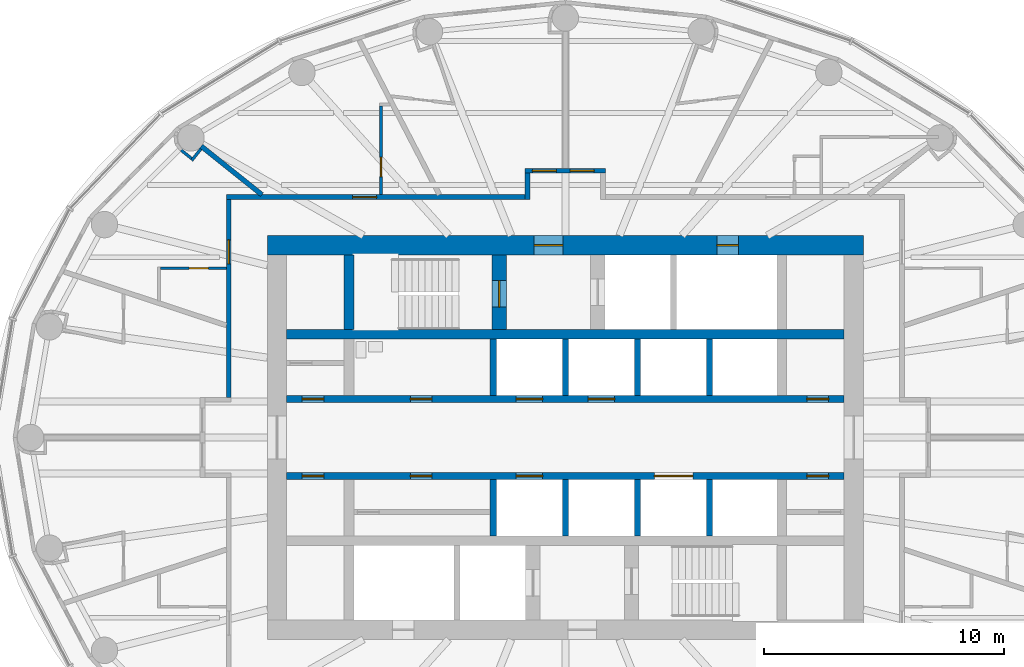
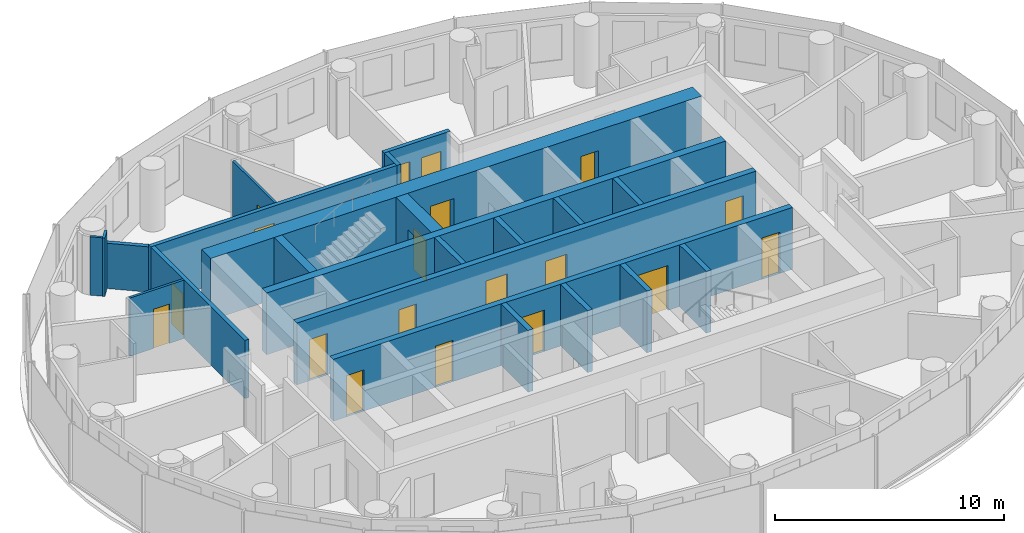
# One storey, part 9 of 16: 23 walls, 19 doors, 19 openings.
"""IFC4 building model written with IfcOpenShell, lengths in metres."""

from ifc_helpers import new_model, si_unit, direction, frame, frame_2d, origin, place, context, subcontext, project, spatial, rectangle, extrude, material, layer, layer_set, type_object, element, fill, save


model = new_model("IFC4")

# Units and contexts
model_context = context("Model", 3, precision=1e-05, world=origin(), true_north=direction((0.0, 1.0)))
body_context = subcontext(model_context, "Body", "Model", "MODEL_VIEW")
ifc_project = project(units=[si_unit("LENGTHUNIT", "METRE"), si_unit("AREAUNIT", "SQUARE_METRE"), si_unit("VOLUMEUNIT", "CUBIC_METRE"), si_unit("PLANEANGLEUNIT", "RADIAN"), si_unit("MASSUNIT", "GRAM", prefix="KILO")], contexts=[model_context])

# Site, building, storey
site_placement = place(None, origin())
site = spatial("IfcSite", under=ifc_project, at=site_placement, CompositionType="ELEMENT")
building_placement = place(site_placement, origin())
building = spatial("IfcBuilding", under=site, at=building_placement, Name="Hankou Lantern Tower", CompositionType="ELEMENT")
storey_placement = place(building_placement, frame((0.0, 0.0, 150.0)))
storey = spatial("IfcBuildingStorey", under=building, at=storey_placement, Name="L39", CompositionType="ELEMENT", Elevation=150.0)

# Wall, openings, doors
ifc_material_1 = material(Name="Concrete C60", Category="concrete")
ifc_layer_1 = layer(ifc_material_1, 0.800048828125)
ifc_layer_set_1 = layer_set([ifc_layer_1], Name="Concrete C60")
wall_type_1 = type_object("IfcWallType", Name="CW2 CORE WALL 800", PredefinedType="SHEAR", material=ifc_layer_set_1)
wall_1_placement = place(storey_placement, frame((-12.39990234375, 8.0, 0.0), z_axis=(0.0, 0.0, 1.0), x_axis=(1.0, 0.0, 0.0)))
wall_1 = element("IfcWall", 1, at=wall_1_placement, inside=storey, type_object=wall_type_1, Name="Core wall north L39", PredefinedType="SHEAR", context=body_context, shape_type="SweptSolid", body=[
    extrude(rectangle(XDim=24.7998046875, YDim=0.800048828125, at=frame_2d((12.39990234375, 0.0))), origin(), (0.0, 0.0, 1.0), 3.300048828125),
])
opening_1_placement = place(wall_1_placement, frame((11.10009765625, 0.0, 0.0)))
opening_1 = element("IfcOpeningElement", 2, at=opening_1_placement, cuts=wall_1, Name="Opening D5", PredefinedType="OPENING", context=body_context, shape_type="SweptSolid", body=[
    extrude(rectangle(XDim=1.199951171875, YDim=2.199951171875, at=frame_2d((0.60009765625, 1.10009765625))), frame((0.0, 0.409912109375, 0.0), z_axis=(0.0, -1.0, 0.0), x_axis=(1.0, 0.0, 0.0)), (0.0, 0.0, 1.0), 0.820068359375),
])
opening_2_placement = place(wall_1_placement, frame((18.699951171875, 0.0, 0.0)))
opening_2 = element("IfcOpeningElement", 3, at=opening_2_placement, cuts=wall_1, Name="Opening D7", PredefinedType="OPENING", context=body_context, shape_type="SweptSolid", body=[
    extrude(rectangle(XDim=0.89990234375, YDim=2.199951171875, at=frame_2d((0.449951171875, 1.10009765625))), frame((0.0, 0.409912109375, 0.0), z_axis=(0.0, -1.0, 0.0), x_axis=(1.0, 0.0, 0.0)), (0.0, 0.0, 1.0), 0.820068359375),
])
ifc_material_2 = material(Name="Steel door leaf", Category="steel")
door_type_1 = type_object("IfcDoorType", Name="D5 STAIR LOBBY DOOR 1200X2200", OperationType="SINGLE_SWING_LEFT", PredefinedType="DOOR", material=ifc_material_2)
door_1_placement = place(opening_1_placement, origin())
door_1 = element("IfcDoor", 4, at=door_1_placement, inside=storey, type_object=door_type_1, Name="Stair A lobby door", OperationType="SINGLE_SWING_LEFT", OverallHeight=2.199951171875, OverallWidth=1.199951171875, PredefinedType="DOOR", context=body_context, shape_type="SweptSolid", body=[
    extrude(rectangle(XDim=1.199951171875, YDim=2.199951171875, at=frame_2d((0.60009765625, 1.10009765625))), frame((0.0, 0.02490234375, 0.0), z_axis=(0.0, -1.0, 0.0), x_axis=(1.0, 0.0, 0.0)), (0.0, 0.0, 1.0), 0.050048828125),
])
fill(opening_1, door_1)
ifc_material_3 = material(Name="Steel door leaf", Category="steel")
door_type_2 = type_object("IfcDoorType", Name="D7 RISER DOOR 900X2200", OperationType="SINGLE_SWING_LEFT", PredefinedType="DOOR", material=ifc_material_3)
door_2_placement = place(opening_2_placement, origin())
door_2 = element("IfcDoor", 5, at=door_2_placement, inside=storey, type_object=door_type_2, Name="Riser N1 door", OperationType="SINGLE_SWING_RIGHT", OverallHeight=2.199951171875, OverallWidth=0.89990234375, PredefinedType="DOOR", context=body_context, shape_type="SweptSolid", body=[
    extrude(rectangle(XDim=0.89990234375, YDim=2.199951171875, at=frame_2d((0.449951171875, 1.10009765625))), frame((0.0, 0.02490234375, 0.0), z_axis=(0.0, -1.0, 0.0), x_axis=(1.0, 0.0, 0.0)), (0.0, 0.0, 1.0), 0.050048828125),
])
fill(opening_2, door_2)

# Walls
ifc_material_4 = material(Name="Concrete C60", Category="concrete")
ifc_layer_2 = layer(ifc_material_4, 0.39990234375)
ifc_layer_set_2 = layer_set([ifc_layer_2], Name="Concrete C60")
wall_type_2 = type_object("IfcWallType", Name="CW4 CORE CROSS WALL 400", PredefinedType="SHEAR", material=ifc_layer_set_2)
wall_2_placement = place(storey_placement, frame((-11.60009765625, 4.300048828125, 0.0), z_axis=(0.0, 0.0, 1.0), x_axis=(1.0, 0.0, 0.0)))
element("IfcWall", 6, at=wall_2_placement, inside=storey, type_object=wall_type_2, Name="Core band wall north L39", PredefinedType="SHEAR", context=body_context, shape_type="SweptSolid", body=[
    extrude(rectangle(XDim=23.2001953125, YDim=0.39990234375, at=frame_2d((11.60009765625, 0.0))), origin(), (0.0, 0.0, 1.0), 3.300048828125),
])
wall_3_placement = place(storey_placement, frame((-9.0, 4.5, 0.0), z_axis=(0.0, 0.0, 1.0), x_axis=(0.0, 1.0, 0.0)))
element("IfcWall", 7, at=wall_3_placement, inside=storey, type_object=wall_type_2, Name="Core strip wall L39", PredefinedType="SHEAR", context=body_context, shape_type="SweptSolid", body=[
    extrude(rectangle(XDim=3.10009765625, YDim=0.39990234375, at=frame_2d((1.550048828125, 0.0))), origin(), (0.0, 0.0, 1.0), 3.300048828125),
])

# Wall, openings, doors
ifc_material_5 = material(Name="Concrete C60", Category="concrete")
ifc_layer_3 = layer(ifc_material_5, 0.300048828125)
ifc_layer_set_3 = layer_set([ifc_layer_3], Name="Concrete C60")
wall_type_3 = type_object("IfcWallType", Name="CW5 LIFT LOBBY WALL 300", PredefinedType="SHEAR", material=ifc_layer_set_3)
wall_4_placement = place(storey_placement, frame((-11.60009765625, 1.60009765625, 0.0), z_axis=(0.0, 0.0, 1.0), x_axis=(1.0, 0.0, 0.0)))
wall_4 = element("IfcWall", 8, at=wall_4_placement, inside=storey, type_object=wall_type_3, Name="Lift lobby wall north L39", PredefinedType="SHEAR", context=body_context, shape_type="SweptSolid", body=[
    extrude(rectangle(XDim=23.2001953125, YDim=0.300048828125, at=frame_2d((11.60009765625, 0.0))), origin(), (0.0, 0.0, 1.0), 3.300048828125),
])
opening_3_placement = place(wall_4_placement, frame((9.550048828125, 0.0, 0.0)))
opening_3 = element("IfcOpeningElement", 9, at=opening_3_placement, cuts=wall_4, Name="Opening LD1", PredefinedType="OPENING", context=body_context, shape_type="SweptSolid", body=[
    extrude(rectangle(XDim=1.10009765625, YDim=2.199951171875, at=frame_2d((0.550048828125, 1.10009765625))), frame((0.0, 0.159912109375, 0.0), z_axis=(0.0, -1.0, 0.0), x_axis=(1.0, 0.0, 0.0)), (0.0, 0.0, 1.0), 0.320068359375),
])
opening_4_placement = place(wall_4_placement, frame((12.550048828125, 0.0, 0.0)))
opening_4 = element("IfcOpeningElement", 10, at=opening_4_placement, cuts=wall_4, Name="Opening LD1", PredefinedType="OPENING", context=body_context, shape_type="SweptSolid", body=[
    extrude(rectangle(XDim=1.10009765625, YDim=2.199951171875, at=frame_2d((0.550048828125, 1.10009765625))), frame((0.0, 0.159912109375, 0.0), z_axis=(0.0, -1.0, 0.0), x_axis=(1.0, 0.0, 0.0)), (0.0, 0.0, 1.0), 0.320068359375),
])
opening_5_placement = place(wall_4_placement, frame((5.14990234375, 0.0, 0.0)))
opening_5 = element("IfcOpeningElement", 11, at=opening_5_placement, cuts=wall_4, Name="Opening D30", PredefinedType="OPENING", context=body_context, shape_type="SweptSolid", body=[
    extrude(rectangle(XDim=0.89990234375, YDim=2.199951171875, at=frame_2d((0.449951171875, 1.10009765625))), frame((0.0, 0.159912109375, 0.0), z_axis=(0.0, -1.0, 0.0), x_axis=(1.0, 0.0, 0.0)), (0.0, 0.0, 1.0), 0.320068359375),
])
opening_6_placement = place(wall_4_placement, frame((21.64990234375, 0.0, 0.0)))
opening_6 = element("IfcOpeningElement", 12, at=opening_6_placement, cuts=wall_4, Name="Opening D30", PredefinedType="OPENING", context=body_context, shape_type="SweptSolid", body=[
    extrude(rectangle(XDim=0.89990234375, YDim=2.199951171875, at=frame_2d((0.449951171875, 1.10009765625))), frame((0.0, 0.159912109375, 0.0), z_axis=(0.0, -1.0, 0.0), x_axis=(1.0, 0.0, 0.0)), (0.0, 0.0, 1.0), 0.320068359375),
])
opening_7_placement = place(wall_4_placement, frame((0.64990234375, 0.0, 0.0)))
opening_7 = element("IfcOpeningElement", 13, at=opening_7_placement, cuts=wall_4, Name="Opening D30", PredefinedType="OPENING", context=body_context, shape_type="SweptSolid", body=[
    extrude(rectangle(XDim=0.89990234375, YDim=2.199951171875, at=frame_2d((0.449951171875, 1.10009765625))), frame((0.0, 0.159912109375, 0.0), z_axis=(0.0, -1.0, 0.0), x_axis=(1.0, 0.0, 0.0)), (0.0, 0.0, 1.0), 0.320068359375),
])
ifc_material_6 = material(Name="Steel door leaf", Category="steel")
door_type_3 = type_object("IfcDoorType", Name="D30 CORE ROOM DOOR 900X2200", OperationType="SINGLE_SWING_LEFT", PredefinedType="DOOR", material=ifc_material_6)
door_3_placement = place(opening_5_placement, origin())
door_3 = element("IfcDoor", 14, at=door_3_placement, inside=storey, type_object=door_type_3, Name="Accessible staff WC door", OperationType="SINGLE_SWING_LEFT", OverallHeight=2.199951171875, OverallWidth=0.89990234375, PredefinedType="DOOR", context=body_context, shape_type="SweptSolid", body=[
    extrude(rectangle(XDim=0.89990234375, YDim=2.199951171875, at=frame_2d((0.449951171875, 1.10009765625))), frame((0.0, 0.02490234375, 0.0), z_axis=(0.0, -1.0, 0.0), x_axis=(1.0, 0.0, 0.0)), (0.0, 0.0, 1.0), 0.050048828125),
])
fill(opening_5, door_3)
door_4_placement = place(opening_6_placement, origin())
door_4 = element("IfcDoor", 15, at=door_4_placement, inside=storey, type_object=door_type_3, Name="Staff locker room door", OperationType="SINGLE_SWING_RIGHT", OverallHeight=2.199951171875, OverallWidth=0.89990234375, PredefinedType="DOOR", context=body_context, shape_type="SweptSolid", body=[
    extrude(rectangle(XDim=0.89990234375, YDim=2.199951171875, at=frame_2d((0.449951171875, 1.10009765625))), frame((0.0, 0.02490234375, 0.0), z_axis=(0.0, -1.0, 0.0), x_axis=(1.0, 0.0, 0.0)), (0.0, 0.0, 1.0), 0.050048828125),
])
fill(opening_6, door_4)
door_5_placement = place(opening_7_placement, origin())
door_5 = element("IfcDoor", 16, at=door_5_placement, inside=storey, type_object=door_type_3, Name="Guest pantry and ice room door", OperationType="SINGLE_SWING_LEFT", OverallHeight=2.199951171875, OverallWidth=0.89990234375, PredefinedType="DOOR", context=body_context, shape_type="SweptSolid", body=[
    extrude(rectangle(XDim=0.89990234375, YDim=2.199951171875, at=frame_2d((0.449951171875, 1.10009765625))), frame((0.0, 0.02490234375, 0.0), z_axis=(0.0, -1.0, 0.0), x_axis=(1.0, 0.0, 0.0)), (0.0, 0.0, 1.0), 0.050048828125),
])
fill(opening_7, door_5)
ifc_material_7 = material(Name="Steel door leaf", Category="steel")
door_type_4 = type_object("IfcDoorType", Name="LD1 LIFT LANDING DOOR 1100X2200", OperationType="DOUBLE_DOOR_SLIDING", PredefinedType="DOOR", material=ifc_material_7)
door_6_placement = place(opening_3_placement, origin())
door_6 = element("IfcDoor", 17, at=door_6_placement, inside=storey, type_object=door_type_4, Name="Lift H1 landing door", OperationType="DOUBLE_DOOR_SLIDING", OverallHeight=2.199951171875, OverallWidth=1.10009765625, PredefinedType="DOOR", context=body_context, shape_type="SweptSolid", body=[
    extrude(rectangle(XDim=1.10009765625, YDim=2.199951171875, at=frame_2d((0.550048828125, 1.10009765625))), frame((0.0, 0.02490234375, 0.0), z_axis=(0.0, -1.0, 0.0), x_axis=(1.0, 0.0, 0.0)), (0.0, 0.0, 1.0), 0.050048828125),
])
fill(opening_3, door_6)
door_7_placement = place(opening_4_placement, origin())
door_7 = element("IfcDoor", 18, at=door_7_placement, inside=storey, type_object=door_type_4, Name="Lift H2 landing door", OperationType="DOUBLE_DOOR_SLIDING", OverallHeight=2.199951171875, OverallWidth=1.10009765625, PredefinedType="DOOR", context=body_context, shape_type="SweptSolid", body=[
    extrude(rectangle(XDim=1.10009765625, YDim=2.199951171875, at=frame_2d((0.550048828125, 1.10009765625))), frame((0.0, 0.02490234375, 0.0), z_axis=(0.0, -1.0, 0.0), x_axis=(1.0, 0.0, 0.0)), (0.0, 0.0, 1.0), 0.050048828125),
])
fill(opening_4, door_7)

wall_5_placement = place(storey_placement, frame((-11.60009765625, -1.60009765625, 0.0), z_axis=(0.0, 0.0, 1.0), x_axis=(1.0, 0.0, 0.0)))
wall_5 = element("IfcWall", 19, at=wall_5_placement, inside=storey, type_object=wall_type_3, Name="Lift lobby wall south L39", PredefinedType="SHEAR", context=body_context, shape_type="SweptSolid", body=[
    extrude(rectangle(XDim=23.2001953125, YDim=0.300048828125, at=frame_2d((11.60009765625, 0.0))), origin(), (0.0, 0.0, 1.0), 3.300048828125),
])
opening_8_placement = place(wall_5_placement, frame((9.550048828125, 0.0, 0.0)))
opening_8 = element("IfcOpeningElement", 20, at=opening_8_placement, cuts=wall_5, Name="Opening LD1", PredefinedType="OPENING", context=body_context, shape_type="SweptSolid", body=[
    extrude(rectangle(XDim=1.10009765625, YDim=2.199951171875, at=frame_2d((0.550048828125, 1.10009765625))), frame((0.0, 0.159912109375, 0.0), z_axis=(0.0, -1.0, 0.0), x_axis=(1.0, 0.0, 0.0)), (0.0, 0.0, 1.0), 0.320068359375),
])
opening_9_placement = place(wall_5_placement, frame((15.300048828125, 0.0, 0.0)))
opening_9 = element("IfcOpeningElement", 21, at=opening_9_placement, cuts=wall_5, Name="Opening LD4", PredefinedType="OPENING", context=body_context, shape_type="SweptSolid", body=[
    extrude(rectangle(XDim=1.60009765625, YDim=2.39990234375, at=frame_2d((0.800048828125, 1.199951171875))), frame((0.0, 0.159912109375, 0.0), z_axis=(0.0, -1.0, 0.0), x_axis=(1.0, 0.0, 0.0)), (0.0, 0.0, 1.0), 0.320068359375),
])
opening_10_placement = place(wall_5_placement, frame((0.64990234375, 0.0, 0.0)))
opening_10 = element("IfcOpeningElement", 22, at=opening_10_placement, cuts=wall_5, Name="Opening D30", PredefinedType="OPENING", context=body_context, shape_type="SweptSolid", body=[
    extrude(rectangle(XDim=0.89990234375, YDim=2.199951171875, at=frame_2d((0.449951171875, 1.10009765625))), frame((0.0, 0.159912109375, 0.0), z_axis=(0.0, -1.0, 0.0), x_axis=(1.0, 0.0, 0.0)), (0.0, 0.0, 1.0), 0.320068359375),
])
opening_11_placement = place(wall_5_placement, frame((5.14990234375, 0.0, 0.0)))
opening_11 = element("IfcOpeningElement", 23, at=opening_11_placement, cuts=wall_5, Name="Opening D30", PredefinedType="OPENING", context=body_context, shape_type="SweptSolid", body=[
    extrude(rectangle(XDim=0.89990234375, YDim=2.199951171875, at=frame_2d((0.449951171875, 1.10009765625))), frame((0.0, 0.159912109375, 0.0), z_axis=(0.0, -1.0, 0.0), x_axis=(1.0, 0.0, 0.0)), (0.0, 0.0, 1.0), 0.320068359375),
])
opening_12_placement = place(wall_5_placement, frame((21.64990234375, 0.0, 0.0)))
opening_12 = element("IfcOpeningElement", 24, at=opening_12_placement, cuts=wall_5, Name="Opening D30", PredefinedType="OPENING", context=body_context, shape_type="SweptSolid", body=[
    extrude(rectangle(XDim=0.89990234375, YDim=2.199951171875, at=frame_2d((0.449951171875, 1.10009765625))), frame((0.0, 0.159912109375, 0.0), z_axis=(0.0, -1.0, 0.0), x_axis=(1.0, 0.0, 0.0)), (0.0, 0.0, 1.0), 0.320068359375),
])
door_8_placement = place(opening_10_placement, origin())
door_8 = element("IfcDoor", 25, at=door_8_placement, inside=storey, type_object=door_type_3, Name="Housekeeping and linen store door", OperationType="SINGLE_SWING_LEFT", OverallHeight=2.199951171875, OverallWidth=0.89990234375, PredefinedType="DOOR", context=body_context, shape_type="SweptSolid", body=[
    extrude(rectangle(XDim=0.89990234375, YDim=2.199951171875, at=frame_2d((0.449951171875, 1.10009765625))), frame((0.0, 0.02490234375, 0.0), z_axis=(0.0, -1.0, 0.0), x_axis=(1.0, 0.0, 0.0)), (0.0, 0.0, 1.0), 0.050048828125),
])
fill(opening_10, door_8)
door_9_placement = place(opening_11_placement, origin())
door_9 = element("IfcDoor", 26, at=door_9_placement, inside=storey, type_object=door_type_3, Name="Engineering store door", OperationType="SINGLE_SWING_LEFT", OverallHeight=2.199951171875, OverallWidth=0.89990234375, PredefinedType="DOOR", context=body_context, shape_type="SweptSolid", body=[
    extrude(rectangle(XDim=0.89990234375, YDim=2.199951171875, at=frame_2d((0.449951171875, 1.10009765625))), frame((0.0, 0.02490234375, 0.0), z_axis=(0.0, -1.0, 0.0), x_axis=(1.0, 0.0, 0.0)), (0.0, 0.0, 1.0), 0.050048828125),
])
fill(opening_11, door_9)
door_10_placement = place(opening_12_placement, origin())
door_10 = element("IfcDoor", 27, at=door_10_placement, inside=storey, type_object=door_type_3, Name="Cleaner's store door", OperationType="SINGLE_SWING_RIGHT", OverallHeight=2.199951171875, OverallWidth=0.89990234375, PredefinedType="DOOR", context=body_context, shape_type="SweptSolid", body=[
    extrude(rectangle(XDim=0.89990234375, YDim=2.199951171875, at=frame_2d((0.449951171875, 1.10009765625))), frame((0.0, 0.02490234375, 0.0), z_axis=(0.0, -1.0, 0.0), x_axis=(1.0, 0.0, 0.0)), (0.0, 0.0, 1.0), 0.050048828125),
])
fill(opening_12, door_10)
door_11_placement = place(opening_8_placement, origin())
door_11 = element("IfcDoor", 28, at=door_11_placement, inside=storey, type_object=door_type_4, Name="Lift H3 landing door", OperationType="DOUBLE_DOOR_SLIDING", OverallHeight=2.199951171875, OverallWidth=1.10009765625, PredefinedType="DOOR", context=body_context, shape_type="SweptSolid", body=[
    extrude(rectangle(XDim=1.10009765625, YDim=2.199951171875, at=frame_2d((0.550048828125, 1.10009765625))), frame((0.0, 0.02490234375, 0.0), z_axis=(0.0, -1.0, 0.0), x_axis=(1.0, 0.0, 0.0)), (0.0, 0.0, 1.0), 0.050048828125),
])
fill(opening_8, door_11)
ifc_material_8 = material(Name="Steel door leaf", Category="steel")
door_type_5 = type_object("IfcDoorType", Name="LD4 SERVICE LIFT LANDING DOOR 1600X2400", OperationType="DOUBLE_DOOR_SLIDING", PredefinedType="DOOR", material=ifc_material_8)
door_12_placement = place(opening_9_placement, origin())
door_12 = element("IfcDoor", 29, at=door_12_placement, inside=storey, type_object=door_type_5, Name="Lift SV1 landing door", OperationType="DOUBLE_DOOR_SLIDING", OverallHeight=2.39990234375, OverallWidth=1.60009765625, PredefinedType="DOOR", context=body_context, shape_type="SweptSolid", body=[
    extrude(rectangle(XDim=1.60009765625, YDim=2.39990234375, at=frame_2d((0.800048828125, 1.199951171875))), frame((0.0, 0.02490234375, 0.0), z_axis=(0.0, -1.0, 0.0), x_axis=(1.0, 0.0, 0.0)), (0.0, 0.0, 1.0), 0.050048828125),
])
fill(opening_9, door_12)

# Wall, opening, door
ifc_material_9 = material(Name="Concrete C60", Category="concrete")
ifc_layer_4 = layer(ifc_material_9, 0.60009765625)
ifc_layer_set_4 = layer_set([ifc_layer_4], Name="Concrete C60")
wall_type_4 = type_object("IfcWallType", Name="CW6 STAIR AND SHAFT WALL 600", PredefinedType="SHEAR", material=ifc_layer_set_4)
wall_6_placement = place(storey_placement, frame((-2.75, 4.5, 0.0), z_axis=(0.0, 0.0, 1.0), x_axis=(0.0, 1.0, 0.0)))
wall_6 = element("IfcWall", 30, at=wall_6_placement, inside=storey, type_object=wall_type_4, Name="Stair wall L39", PredefinedType="SHEAR", context=body_context, shape_type="SweptSolid", body=[
    extrude(rectangle(XDim=3.10009765625, YDim=0.60009765625, at=frame_2d((1.550048828125, 0.0))), origin(), (0.0, 0.0, 1.0), 3.300048828125),
])
opening_13_placement = place(wall_6_placement, frame((0.925048828125, 0.0, 0.0)))
opening_13 = element("IfcOpeningElement", 31, at=opening_13_placement, cuts=wall_6, Name="Opening D4", PredefinedType="OPENING", context=body_context, shape_type="SweptSolid", body=[
    extrude(rectangle(XDim=1.10009765625, YDim=2.199951171875, at=frame_2d((0.550048828125, 1.10009765625))), frame((0.0, 0.31005859375, 0.0), z_axis=(0.0, -1.0, 0.0), x_axis=(1.0, 0.0, 0.0)), (0.0, 0.0, 1.0), 0.6201171875),
])
ifc_material_10 = material(Name="Steel door leaf", Category="steel")
door_type_6 = type_object("IfcDoorType", Name="D4 STAIR DOOR 1100X2200", OperationType="SINGLE_SWING_LEFT", PredefinedType="DOOR", material=ifc_material_10)
door_13_placement = place(opening_13_placement, origin())
door_13 = element("IfcDoor", 32, at=door_13_placement, inside=storey, type_object=door_type_6, Name="Stair A door", OperationType="SINGLE_SWING_LEFT", OverallHeight=2.199951171875, OverallWidth=1.10009765625, PredefinedType="DOOR", context=body_context, shape_type="SweptSolid", body=[
    extrude(rectangle(XDim=1.10009765625, YDim=2.199951171875, at=frame_2d((0.550048828125, 1.10009765625))), frame((0.0, 0.02490234375, 0.0), z_axis=(0.0, -1.0, 0.0), x_axis=(1.0, 0.0, 0.0)), (0.0, 0.0, 1.0), 0.050048828125),
])
fill(opening_13, door_13)

# Wall
ifc_material_11 = material(Name="Masonry lightweight concrete block", Category="masonry")
ifc_layer_5 = layer(ifc_material_11, 0.199951171875)
ifc_layer_set_5 = layer_set([ifc_layer_5], Name="Masonry lightweight concrete block")
wall_type_5 = type_object("IfcWallType", Name="IW1 GUEST ROOM PARTY WALL 200", PredefinedType="PARTITIONING", material=ifc_layer_set_5)
wall_7_placement = place(storey_placement, frame((-12.625, 10.10009765625, 0.0), z_axis=(0.0, 0.0, 1.0), x_axis=(-0.780876185034, 0.624685827954, 0.0)))
element("IfcWall", 33, at=wall_7_placement, inside=storey, type_object=wall_type_5, Name="Party wall R10", PredefinedType="PARTITIONING", context=body_context, shape_type="SweptSolid", body=[
    extrude(rectangle(XDim=3.229248046875, YDim=0.199951171875, at=frame_2d((1.61474609375, 0.0))), origin(), (0.0, 0.0, 1.0), 2.419921875),
])

# Wall, openings, doors
ifc_material_12 = material(Name="Masonry lightweight concrete block", Category="masonry")
ifc_layer_6 = layer(ifc_material_12, 0.199951171875)
ifc_layer_set_6 = layer_set([ifc_layer_6], Name="Masonry lightweight concrete block")
wall_type_6 = type_object("IfcWallType", Name="IW2 CORRIDOR WALL 200", PredefinedType="PARTITIONING", material=ifc_layer_set_6)
wall_8_placement = place(storey_placement, frame((-1.669921875, 11.10009765625, 0.0), z_axis=(0.0, 0.0, 1.0), x_axis=(1.0, 0.0, 0.0)))
wall_8 = element("IfcWall", 34, at=wall_8_placement, inside=storey, type_object=wall_type_6, Name="Corridor alcove wall 3903-3904 back", PredefinedType="PARTITIONING", context=body_context, shape_type="SweptSolid", body=[
    extrude(rectangle(XDim=3.33984375, YDim=0.199951171875, at=frame_2d((1.669921875, 0.0))), origin(), (0.0, 0.0, 1.0), 3.1201171875),
])
opening_14_placement = place(wall_8_placement, frame((1.8701171875, 0.0, 0.0)))
opening_14 = element("IfcOpeningElement", 35, at=opening_14_placement, cuts=wall_8, Name="Opening D1", PredefinedType="OPENING", context=body_context, shape_type="SweptSolid", body=[
    extrude(rectangle(XDim=1.0, YDim=2.199951171875, at=frame_2d((0.5, 1.10009765625))), frame((0.0, 0.10986328125, 0.0), z_axis=(0.0, -1.0, 0.0), x_axis=(1.0, 0.0, 0.0)), (0.0, 0.0, 1.0), 0.219970703125),
])
opening_15_placement = place(wall_8_placement, frame((0.300048828125, 0.0, 0.0)))
opening_15 = element("IfcOpeningElement", 36, at=opening_15_placement, cuts=wall_8, Name="Opening D1", PredefinedType="OPENING", context=body_context, shape_type="SweptSolid", body=[
    extrude(rectangle(XDim=1.0, YDim=2.199951171875, at=frame_2d((0.5, 1.10009765625))), frame((0.0, 0.10986328125, 0.0), z_axis=(0.0, -1.0, 0.0), x_axis=(1.0, 0.0, 0.0)), (0.0, 0.0, 1.0), 0.219970703125),
])
ifc_material_13 = material(Name="Steel door leaf", Category="steel")
door_type_7 = type_object("IfcDoorType", Name="D1 GUEST ROOM DOOR 1000X2200", OperationType="SINGLE_SWING_LEFT", PredefinedType="DOOR", material=ifc_material_13)
door_14_placement = place(opening_14_placement, origin())
door_14 = element("IfcDoor", 37, at=door_14_placement, inside=storey, type_object=door_type_7, Name="Guest room door 3903", OperationType="SINGLE_SWING_LEFT", OverallHeight=2.199951171875, OverallWidth=1.0, PredefinedType="DOOR", context=body_context, shape_type="SweptSolid", body=[
    extrude(rectangle(XDim=1.0, YDim=2.199951171875, at=frame_2d((0.5, 1.10009765625))), frame((0.0, 0.02490234375, 0.0), z_axis=(0.0, -1.0, 0.0), x_axis=(1.0, 0.0, 0.0)), (0.0, 0.0, 1.0), 0.050048828125),
])
fill(opening_14, door_14)
door_15_placement = place(opening_15_placement, origin())
door_15 = element("IfcDoor", 38, at=door_15_placement, inside=storey, type_object=door_type_7, Name="Guest room door 3904", OperationType="SINGLE_SWING_RIGHT", OverallHeight=2.199951171875, OverallWidth=1.0, PredefinedType="DOOR", context=body_context, shape_type="SweptSolid", body=[
    extrude(rectangle(XDim=1.0, YDim=2.199951171875, at=frame_2d((0.5, 1.10009765625))), frame((0.0, 0.02490234375, 0.0), z_axis=(0.0, -1.0, 0.0), x_axis=(1.0, 0.0, 0.0)), (0.0, 0.0, 1.0), 0.050048828125),
])
fill(opening_15, door_15)

# Wall
wall_9_placement = place(storey_placement, frame((-1.570068359375, 9.89990234375, 0.0), z_axis=(0.0, 0.0, 1.0), x_axis=(0.0, 1.0, 0.0)))
element("IfcWall", 39, at=wall_9_placement, inside=storey, type_object=wall_type_6, Name="Corridor alcove wall 3903-3904 left", PredefinedType="PARTITIONING", context=body_context, shape_type="SweptSolid", body=[
    extrude(rectangle(XDim=1.10009765625, YDim=0.199951171875, at=frame_2d((0.550048828125, 0.0))), origin(), (0.0, 0.0, 1.0), 3.1201171875),
])

# Wall, opening, door
wall_10_placement = place(storey_placement, frame((-14.10009765625, 10.0, 0.0), z_axis=(0.0, 0.0, 1.0), x_axis=(1.0, 0.0, 0.0)))
wall_10 = element("IfcWall", 40, at=wall_10_placement, inside=storey, type_object=wall_type_6, Name="Corridor wall north", PredefinedType="PARTITIONING", context=body_context, shape_type="SweptSolid", body=[
    extrude(rectangle(XDim=12.43017578125, YDim=0.199951171875, at=frame_2d((6.215087890625, 0.0))), origin(), (0.0, 0.0, 1.0), 3.1201171875),
])
opening_16_placement = place(wall_10_placement, frame((5.25, 0.0, 0.0)))
opening_16 = element("IfcOpeningElement", 41, at=opening_16_placement, cuts=wall_10, Name="Opening D1", PredefinedType="OPENING", context=body_context, shape_type="SweptSolid", body=[
    extrude(rectangle(XDim=1.0, YDim=2.199951171875, at=frame_2d((0.5, 1.10009765625))), frame((0.0, 0.10986328125, 0.0), z_axis=(0.0, -1.0, 0.0), x_axis=(1.0, 0.0, 0.0)), (0.0, 0.0, 1.0), 0.219970703125),
])
door_16_placement = place(opening_16_placement, origin())
door_16 = element("IfcDoor", 42, at=door_16_placement, inside=storey, type_object=door_type_7, Name="Guest room door 3905", OperationType="SINGLE_SWING_RIGHT", OverallHeight=2.199951171875, OverallWidth=1.0, PredefinedType="DOOR", context=body_context, shape_type="SweptSolid", body=[
    extrude(rectangle(XDim=1.0, YDim=2.199951171875, at=frame_2d((0.5, 1.10009765625))), frame((0.0, 0.02490234375, 0.0), z_axis=(0.0, -1.0, 0.0), x_axis=(1.0, 0.0, 0.0)), (0.0, 0.0, 1.0), 0.050048828125),
])
fill(opening_16, door_16)

wall_11_placement = place(storey_placement, frame((-14.0, 9.89990234375, 0.0), z_axis=(0.0, 0.0, 1.0), x_axis=(0.0, -1.0, 0.0)))
wall_11 = element("IfcWall", 43, at=wall_11_placement, inside=storey, type_object=wall_type_6, Name="Corridor wall west", PredefinedType="PARTITIONING", context=body_context, shape_type="SweptSolid", body=[
    extrude(rectangle(XDim=8.22998046875, YDim=0.199951171875, at=frame_2d((4.114990234375, 0.0))), origin(), (0.0, 0.0, 1.0), 3.1201171875),
])
opening_17_placement = place(wall_11_placement, frame((1.678466796875, 0.0, 0.0)))
opening_17 = element("IfcOpeningElement", 44, at=opening_17_placement, cuts=wall_11, Name="Opening D1", PredefinedType="OPENING", context=body_context, shape_type="SweptSolid", body=[
    extrude(rectangle(XDim=1.0, YDim=2.199951171875, at=frame_2d((0.5, 1.10009765625))), frame((0.0, 0.10986328125, 0.0), z_axis=(0.0, -1.0, 0.0), x_axis=(1.0, 0.0, 0.0)), (0.0, 0.0, 1.0), 0.219970703125),
])
door_17_placement = place(opening_17_placement, origin())
door_17 = element("IfcDoor", 45, at=door_17_placement, inside=storey, type_object=door_type_7, Name="Guest room door 3906", OperationType="SINGLE_SWING_LEFT", OverallHeight=2.199951171875, OverallWidth=1.0, PredefinedType="DOOR", context=body_context, shape_type="SweptSolid", body=[
    extrude(rectangle(XDim=1.0, YDim=2.199951171875, at=frame_2d((0.5, 1.10009765625))), frame((0.0, 0.02490234375, 0.0), z_axis=(0.0, -1.0, 0.0), x_axis=(1.0, 0.0, 0.0)), (0.0, 0.0, 1.0), 0.050048828125),
])
fill(opening_17, door_17)

ifc_material_14 = material(Name="Masonry lightweight concrete block", Category="masonry")
ifc_layer_7 = layer(ifc_material_14, 0.1201171875)
ifc_layer_set_7 = layer_set([ifc_layer_7], Name="Masonry lightweight concrete block")
wall_type_7 = type_object("IfcWallType", Name="IW3 BATHROOM WALL 120", PredefinedType="PARTITIONING", material=ifc_layer_set_7)
wall_12_placement = place(storey_placement, frame((-7.670166015625, 10.10009765625, 0.0), z_axis=(0.0, 0.0, 1.0), x_axis=(0.0, 1.0, 0.0)))
wall_12 = element("IfcWall", 46, at=wall_12_placement, inside=storey, type_object=wall_type_7, Name="Box wall 3905 1", PredefinedType="PARTITIONING", context=body_context, shape_type="SweptSolid", body=[
    extrude(rectangle(XDim=3.68994140625, YDim=0.1201171875, at=frame_2d((1.844970703125, 0.0))), origin(), (0.0, 0.0, 1.0), 3.1201171875),
])
opening_18_placement = place(wall_12_placement, frame((0.75, 0.0, 0.0)))
opening_18 = element("IfcOpeningElement", 47, at=opening_18_placement, cuts=wall_12, Name="Opening D3", PredefinedType="OPENING", context=body_context, shape_type="SweptSolid", body=[
    extrude(rectangle(XDim=0.800048828125, YDim=2.10009765625, at=frame_2d((0.39990234375, 1.050048828125))), frame((0.0, 0.070068359375, 0.0), z_axis=(0.0, -1.0, 0.0), x_axis=(1.0, 0.0, 0.0)), (0.0, 0.0, 1.0), 0.14013671875),
])
ifc_material_15 = material(Name="Timber door leaf", Category="wood")
door_type_8 = type_object("IfcDoorType", Name="D3 BATHROOM DOOR 800X2100", OperationType="SINGLE_SWING_LEFT", PredefinedType="DOOR", material=ifc_material_15)
door_18_placement = place(opening_18_placement, origin())
door_18 = element("IfcDoor", 48, at=door_18_placement, inside=storey, type_object=door_type_8, Name="En-suite bathroom 3905 door", OperationType="SINGLE_SWING_LEFT", OverallHeight=2.10009765625, OverallWidth=0.800048828125, PredefinedType="DOOR", context=body_context, shape_type="SweptSolid", body=[
    extrude(rectangle(XDim=0.800048828125, YDim=2.10009765625, at=frame_2d((0.39990234375, 1.050048828125))), frame((0.0, 0.02490234375, 0.0), z_axis=(0.0, -1.0, 0.0), x_axis=(1.0, 0.0, 0.0)), (0.0, 0.0, 1.0), 0.050048828125),
])
fill(opening_18, door_18)

wall_13_placement = place(storey_placement, frame((-14.10009765625, 7.04150390625, 0.0), z_axis=(0.0, 0.0, 1.0), x_axis=(-1.0, 0.0, 0.0)))
wall_13 = element("IfcWall", 49, at=wall_13_placement, inside=storey, type_object=wall_type_7, Name="Box wall 3906 1", PredefinedType="PARTITIONING", context=body_context, shape_type="SweptSolid", body=[
    extrude(rectangle(XDim=2.739990234375, YDim=0.1201171875, at=frame_2d((1.3701171875, 0.0))), origin(), (0.0, 0.0, 1.0), 3.1201171875),
])
opening_19_placement = place(wall_13_placement, frame((0.75, 0.0, 0.0)))
opening_19 = element("IfcOpeningElement", 50, at=opening_19_placement, cuts=wall_13, Name="Opening D3", PredefinedType="OPENING", context=body_context, shape_type="SweptSolid", body=[
    extrude(rectangle(XDim=0.800048828125, YDim=2.10009765625, at=frame_2d((0.39990234375, 1.050048828125))), frame((0.0, 0.070068359375, 0.0), z_axis=(0.0, -1.0, 0.0), x_axis=(1.0, 0.0, 0.0)), (0.0, 0.0, 1.0), 0.14013671875),
])
door_19_placement = place(opening_19_placement, origin())
door_19 = element("IfcDoor", 51, at=door_19_placement, inside=storey, type_object=door_type_8, Name="En-suite bathroom 3906 door", OperationType="SINGLE_SWING_LEFT", OverallHeight=2.10009765625, OverallWidth=0.800048828125, PredefinedType="DOOR", context=body_context, shape_type="SweptSolid", body=[
    extrude(rectangle(XDim=0.800048828125, YDim=2.10009765625, at=frame_2d((0.39990234375, 1.050048828125))), frame((0.0, 0.02490234375, 0.0), z_axis=(0.0, -1.0, 0.0), x_axis=(1.0, 0.0, 0.0)), (0.0, 0.0, 1.0), 0.050048828125),
])
fill(opening_19, door_19)

# Walls
ifc_material_16 = material(Name="Masonry lightweight concrete block", Category="masonry")
ifc_layer_8 = layer(ifc_material_16, 0.1201171875)
ifc_layer_set_8 = layer_set([ifc_layer_8], Name="Masonry lightweight concrete block")
wall_type_8 = type_object("IfcWallType", Name="IW4 PARTITION 120", PredefinedType="PARTITIONING", material=ifc_layer_set_8)
wall_14_placement = place(storey_placement, frame((-15.162353515625, 12.001708984375, 0.0), z_axis=(0.0, 0.0, 1.0), x_axis=(-0.624597762427, -0.780946627607, 0.0)))
element("IfcWall", 52, at=wall_14_placement, inside=storey, type_object=wall_type_8, Name="Column casing R10 return", PredefinedType="PARTITIONING", context=body_context, shape_type="SweptSolid", body=[
    extrude(rectangle(XDim=0.612060546875, YDim=0.1201171875, at=frame_2d((0.30615234375, 0.0))), origin(), (0.0, 0.0, 1.0), 3.1201171875),
])
wall_15_placement = place(storey_placement, frame((-15.55419921875, 11.60791015625, 0.0), z_axis=(0.0, 0.0, 1.0), x_axis=(-0.780695577787, 0.624911525597, 0.0)))
element("IfcWall", 53, at=wall_15_placement, inside=storey, type_object=wall_type_8, Name="Column casing R10", PredefinedType="PARTITIONING", context=body_context, shape_type="SweptSolid", body=[
    extrude(rectangle(XDim=0.550048828125, YDim=0.1201171875, at=frame_2d((0.27490234375, 0.0))), origin(), (0.0, 0.0, 1.0), 3.1201171875),
])
ifc_material_17 = material(Name="Masonry autoclaved aerated concrete block", Category="masonry")
ifc_layer_9 = layer(ifc_material_17, 0.25)
ifc_layer_set_9 = layer_set([ifc_layer_9], Name="Masonry autoclaved aerated concrete block")
wall_type_9 = type_object("IfcWallType", Name="SW1 SHAFT BLOCK WALL 250", PredefinedType="PARTITIONING", material=ifc_layer_set_9)
for number, where, z_axis, x_axis, name in (
    (54, (-3.0, 1.75, 0.0), (0.0, 0.0, 1.0), (0.0, 1.0, 0.0), "Lift shaft wall L39"),
    (55, (0.0, 1.75, 0.0), (0.0, 0.0, 1.0), (0.0, 1.0, 0.0), "Lift shaft wall L39"),
    (56, (3.0, 1.75, 0.0), (0.0, 0.0, 1.0), (0.0, 1.0, 0.0), "Lift shaft wall L39"),
    (57, (6.0, 1.75, 0.0), (0.0, 0.0, 1.0), (0.0, 1.0, 0.0), "Lift shaft wall L39"),
    (58, (-3.0, -4.10009765625, 0.0), (0.0, 0.0, 1.0), (0.0, 1.0, 0.0), "Lift shaft wall L39"),
    (59, (0.0, -4.10009765625, 0.0), (0.0, 0.0, 1.0), (0.0, 1.0, 0.0), "Lift shaft wall L39"),
    (60, (3.0, -4.10009765625, 0.0), (0.0, 0.0, 1.0), (0.0, 1.0, 0.0), "Lift shaft wall L39"),
    (61, (6.0, -4.10009765625, 0.0), (0.0, 0.0, 1.0), (0.0, 1.0, 0.0), "Lift shaft wall L39"),
):
    element("IfcWall", number, at=place(storey_placement, frame(where, z_axis=z_axis, x_axis=x_axis)), inside=storey, type_object=wall_type_9, Name=name, PredefinedType="PARTITIONING", context=body_context, shape_type="SweptSolid", body=[
        extrude(rectangle(XDim=2.35009765625, YDim=0.25, at=frame_2d((1.175048828125, 0.0))), origin(), (0.0, 0.0, 1.0), 3.300048828125),
    ])

save(model, "model.ifc")
